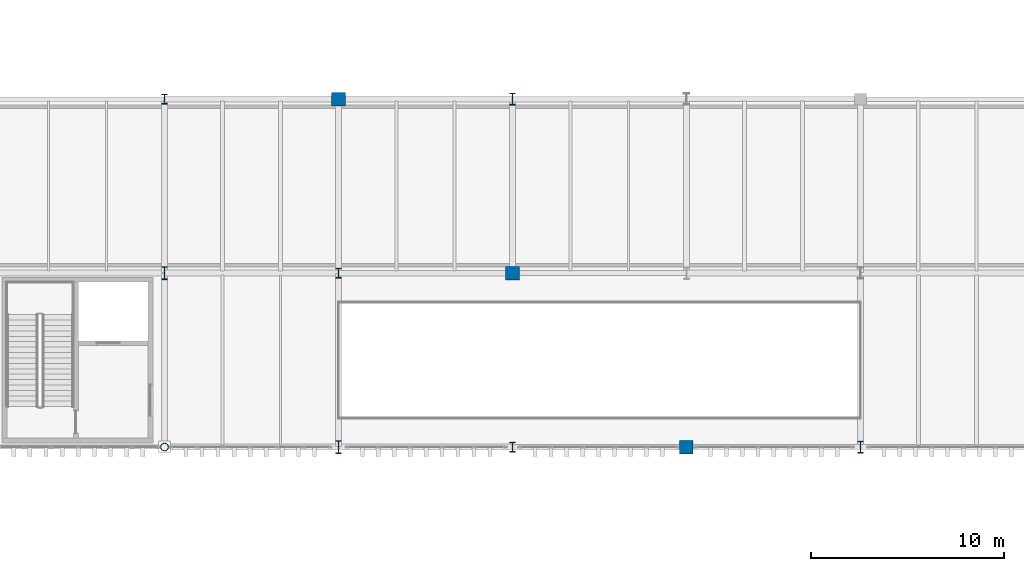
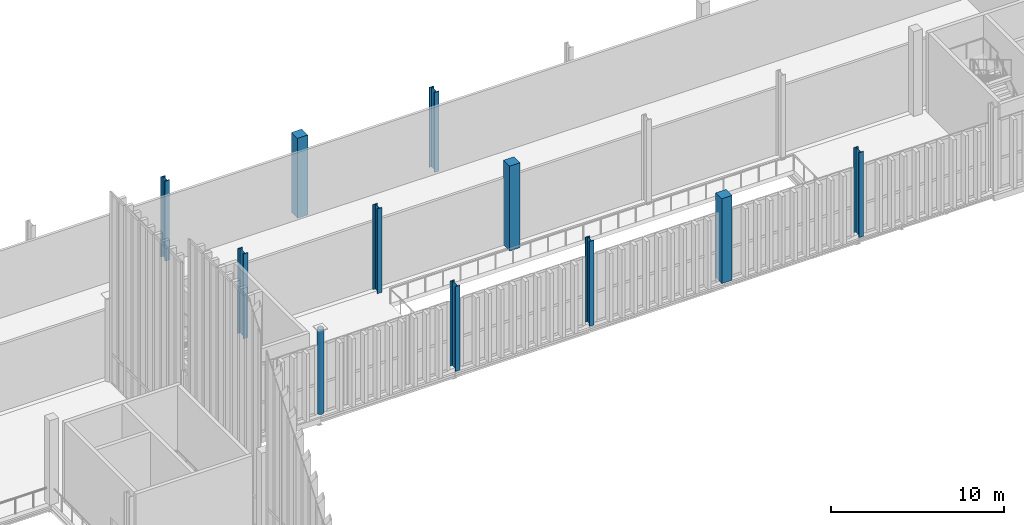
# One storey, part 6 of 237: 11 columns.
"""IFC4 building model written with IfcOpenShell, lengths in metres."""

import ifcopenshell
import ifcopenshell.guid

model = None  # the IFC model being written
_history = None  # IfcOwnerHistory: only IFC2X3 demands one
_inside = {}  # id of a spatial element -> (the spatial element, [elements in it])
_under = {}  # id of a project, library or spatial element -> (it, [spatial elements below it])
_declared = {}  # id of a project -> (the project, [libraries it declares])
_typed = {}  # id of a type object -> (the type object, [elements of that type])
_made_of = {}  # id of a material, layer set ... -> (it, [elements and type objects made of it])


def new_model(schema):
    """Start an empty IFC model of exactly this schema.

    Asked for "IFC4X3", IfcOpenShell would pick the latest addendum, in which some entities
    have other attributes; the version numbers below select the first issue.
    IFC2X3 requires an IfcOwnerHistory on every rooted entity: one is made here for all.
    """
    global model, _history
    if schema == "IFC4X3":
        model = ifcopenshell.file(schema_version=(4, 3, 0, 0))
    else:
        model = ifcopenshell.file(schema=schema)
    _inside.clear()
    _under.clear()
    _declared.clear()
    _typed.clear()
    _made_of.clear()
    _history = None
    if model.schema == "IFC2X3":
        org = make("IfcOrganization", Name="unknown")
        user = make(
            "IfcPersonAndOrganization",
            ThePerson=make("IfcPerson", FamilyName="unknown"),
            TheOrganization=org,
        )
        app = make(
            "IfcApplication",
            ApplicationDeveloper=org,
            Version="unknown",
            ApplicationFullName="unknown",
            ApplicationIdentifier="unknown",
        )
        _history = make(
            "IfcOwnerHistory",
            OwningUser=user,
            OwningApplication=app,
            ChangeAction="ADDED",
            CreationDate=0,
        )
    return model


def make(cls, **values):
    """One entity of the class cls with the attributes given. An attribute that is None is left unset."""
    return model.create_entity(
        cls, **{name: value for name, value in values.items() if value is not None}
    )


def rooted(cls, **values):
    """An entity with a GlobalId (a new one), such as an element, a storey or a relation."""
    return make(cls, GlobalId=ifcopenshell.guid.new(), OwnerHistory=_history, **values)


def si_unit(unit_type, name, prefix=None):
    """IfcSIUnit, for example si_unit("LENGTHUNIT", "METRE", prefix="MILLI")."""
    return make("IfcSIUnit", UnitType=unit_type, Prefix=prefix, Name=name)


def assignment(units):
    """IfcUnitAssignment: the units of a project."""
    return None if units is None else make("IfcUnitAssignment", Units=units)


def point(xyz):
    """IfcCartesianPoint."""
    return None if xyz is None else make("IfcCartesianPoint", Coordinates=xyz)


def direction(xyz):
    """IfcDirection."""
    return None if xyz is None else make("IfcDirection", DirectionRatios=xyz)


def frame(location, z_axis=None, x_axis=None):
    """IfcAxis2Placement3D, a coordinate frame: its origin and axes. An axis left out is left unset."""
    return make(
        "IfcAxis2Placement3D",
        Location=point(location),
        Axis=direction(z_axis),
        RefDirection=direction(x_axis),
    )


def frame_2d(location, x_axis=None):
    """IfcAxis2Placement2D, a coordinate frame in the plane: its origin and x axis."""
    return make(
        "IfcAxis2Placement2D", Location=point(location), RefDirection=direction(x_axis)
    )


def origin():
    """The frame at (0, 0, 0) with its axes left unset."""
    return frame((0.0, 0.0, 0.0))


def origin_2d():
    """The frame at (0, 0) in the plane with its x axis left unset."""
    return frame_2d((0.0, 0.0))


def place(relative_to, where):
    """IfcLocalPlacement: puts the frame where relative to a parent placement (None: the world)."""
    return make(
        "IfcLocalPlacement", PlacementRelTo=relative_to, RelativePlacement=where
    )


def context(
    kind, dimensions, precision=None, world=None, true_north=None, identifier=None
):
    """IfcGeometricRepresentationContext, for example the 3D "Model" context."""
    return make(
        "IfcGeometricRepresentationContext",
        ContextIdentifier=identifier,
        ContextType=kind,
        CoordinateSpaceDimension=dimensions,
        Precision=precision,
        WorldCoordinateSystem=world,
        TrueNorth=true_north,
    )


def subcontext(parent, identifier, kind, view, scale=None):
    """IfcGeometricRepresentationSubContext, for example "Body" below "Model"."""
    return make(
        "IfcGeometricRepresentationSubContext",
        ContextIdentifier=identifier,
        ContextType=kind,
        ParentContext=parent,
        TargetScale=scale,
        TargetView=view,
    )


def project(units=None, contexts=None):
    """IfcProject with its units and contexts."""
    return rooted(
        "IfcProject",
        Name="project",
        RepresentationContexts=contexts,
        UnitsInContext=assignment(units),
    )


def spatial(cls, under=None, at=None, **own):
    """A site, building, storey or space (cls), placed at a placement, below another one or the project."""
    s = rooted(cls, ObjectPlacement=at, **own)
    if under is not None:
        _under.setdefault(under.id(), (under, []))[1].append(s)
    return s


def profile(cls, at=None, kind="AREA", **sizes):
    """A parametric profile (cls). Its sizes go by their IFC names, for example OverallWidth=200.0."""
    return make(cls, ProfileType=kind, Position=at, **sizes)


def rectangle(**sizes):
    """IfcRectangleProfileDef."""
    return profile("IfcRectangleProfileDef", **sizes)


def hollow_circle(**sizes):
    """IfcCircleHollowProfileDef."""
    return profile("IfcCircleHollowProfileDef", **sizes)


def i_section(**sizes):
    """IfcIShapeProfileDef."""
    return profile("IfcIShapeProfileDef", **sizes)


def extrude(swept, where, along, depth):
    """IfcExtrudedAreaSolid: the profile swept, set in the frame where, extruded along a direction by depth."""
    return make(
        "IfcExtrudedAreaSolid",
        SweptArea=swept,
        Position=where,
        ExtrudedDirection=direction(along),
        Depth=depth,
    )


def shape(context_of_items, identifier, shape_type, items):
    """IfcShapeRepresentation: the items that make up one representation, for example the "Body"."""
    return make(
        "IfcShapeRepresentation",
        ContextOfItems=context_of_items,
        RepresentationIdentifier=identifier,
        RepresentationType=shape_type,
        Items=items,
    )


def material(Name=None, Category=None):
    """IfcMaterial."""
    return make("IfcMaterial", Name=Name, Category=Category)


def material_profile(
    of_material, cross_section, Name=None, Category=None, Priority=None
):
    """IfcMaterialProfile: a cross section and its material."""
    return make(
        "IfcMaterialProfile",
        Name=Name,
        Material=of_material,
        Profile=cross_section,
        Priority=Priority,
        Category=Category,
    )


def profile_set(profiles, Name=None, composite=None):
    """IfcMaterialProfileSet."""
    return make(
        "IfcMaterialProfileSet",
        Name=Name,
        MaterialProfiles=profiles,
        CompositeProfile=composite,
    )


def made_of(thing, what):
    """Note that an element or type object is made of a material, layer set ...; save() writes the relation."""
    if what is not None:
        _made_of.setdefault(what.id(), (what, []))[1].append(thing)
    return thing


def type_object(cls, material=None, **own):
    """A type object (cls), such as IfcWallType, which elements share."""
    return made_of(rooted(cls, **own), material)


def element(
    cls,
    number,
    at=None,
    inside=None,
    cuts=None,
    type_object=None,
    material=None,
    context=None,
    identifier="Body",
    shape_type=None,
    held_by="IfcProductDefinitionShape",
    body=None,
    shapes=None,
    **own,
):
    """One element of the class cls, such as IfcWall. Its Tag is "e" and its number.

    at: its placement. inside: the storey or other place that contains it. cuts: it is an
    opening in that element (IfcRelVoidsElement). A single representation is given by context,
    identifier, shape_type and body (its items); several are given by shapes. held_by: the class
    of the entity that holds the representations. save() writes the other relations.
    """
    e = rooted(cls, Tag="e%d" % number, ObjectPlacement=at, **own)
    if body is not None:
        shapes = [shape(context, identifier, shape_type, body)]
    if shapes is not None:
        e.Representation = make(held_by, Representations=shapes)
    if inside is not None:
        _inside.setdefault(inside.id(), (inside, []))[1].append(e)
    if cuts is not None:
        rooted(
            "IfcRelVoidsElement", RelatingBuildingElement=cuts, RelatedOpeningElement=e
        )
    if type_object is not None:
        _typed.setdefault(type_object.id(), (type_object, []))[1].append(e)
    return made_of(e, material)


def aggregate(whole, parts):
    """IfcRelAggregates: a whole, such as a stair, and the parts it consists of."""
    return rooted("IfcRelAggregates", RelatingObject=whole, RelatedObjects=parts)


def save(model, path):
    """Write the relations noted so far, then the file.

    IfcRelAggregates (storeys below a building ...), IfcRelContainedInSpatialStructure (elements
    in a storey), IfcRelDefinesByType, IfcRelAssociatesMaterial and IfcRelDeclares: one each for
    every whole, place, type object, material and project.
    """
    for whole, parts in _under.values():
        aggregate(whole, parts)
    for where, things in _inside.values():
        rooted(
            "IfcRelContainedInSpatialStructure",
            RelatedElements=things,
            RelatingStructure=where,
        )
    for kind, things in _typed.values():
        rooted("IfcRelDefinesByType", RelatedObjects=things, RelatingType=kind)
    for what, things in _made_of.values():
        rooted("IfcRelAssociatesMaterial", RelatedObjects=things, RelatingMaterial=what)
    for by, libraries in _declared.values():
        rooted("IfcRelDeclares", RelatingContext=by, RelatedDefinitions=libraries)
    model.write(path)


model = new_model("IFC4")

# Units and contexts
model_context = context("Model", 3, precision=1e-05, world=origin(), true_north=direction((0.0, 1.0)))
body_context = subcontext(model_context, "Body", "Model", "MODEL_VIEW")
ifc_project = project(units=[si_unit("LENGTHUNIT", "METRE"), si_unit("AREAUNIT", "SQUARE_METRE"), si_unit("VOLUMEUNIT", "CUBIC_METRE"), si_unit("PLANEANGLEUNIT", "RADIAN"), si_unit("MASSUNIT", "GRAM", prefix="KILO")], contexts=[model_context])

# Site, building, storey
site_placement = place(None, origin())
site = spatial("IfcSite", under=ifc_project, at=site_placement, CompositionType="ELEMENT")
building_placement = place(site_placement, origin())
building = spatial("IfcBuilding", under=site, at=building_placement, Name="Barlavento Convention Centre", CompositionType="ELEMENT")
storey_placement = place(building_placement, frame((0.0, 0.0, 12.0)))
storey = spatial("IfcBuildingStorey", under=building, at=storey_placement, Name="L02", CompositionType="ELEMENT", Elevation=12.0)

# Columns
ifc_material_1 = material(Name="Steel S355", Category="steel")
ifc_material_profile_1 = material_profile(ifc_material_1, hollow_circle(Radius=0.203125, WallThickness=0.01611328125, at=origin_2d()), Name="CHS 406.4x16.0")
ifc_profile_set_1 = profile_set([ifc_material_profile_1], Name="Steel S355")
column_type_1 = type_object("IfcColumnType", Name="STR-COL-CHS406", PredefinedType="COLUMN", material=ifc_profile_set_1)
column_1_placement = place(storey_placement, frame((72.0, 45.0, 0.0), z_axis=(0.0, 0.0, 1.0), x_axis=(1.0, 0.0, 0.0)))
element("IfcColumn", 1, at=column_1_placement, inside=storey, type_object=column_type_1, Name="L02 column SC14", PredefinedType="COLUMN", context=body_context, shape_type="SweptSolid", body=[
    extrude(hollow_circle(Radius=0.203125, WallThickness=0.01611328125, at=origin_2d()), origin(), (0.0, 0.0, 1.0), 6.0),
])
ifc_material_profile_2 = material_profile(ifc_material_1, i_section(OverallWidth=0.305908203125, OverallDepth=0.52392578125, WebThickness=0.02099609375, FlangeThickness=0.0400390625, FilletRadius=0.027099609375, at=origin_2d()), Name="HEM 500")
ifc_profile_set_2 = profile_set([ifc_material_profile_2], Name="Steel S355")
column_type_2 = type_object("IfcColumnType", Name="STR-COL-HEM500", PredefinedType="COLUMN", material=ifc_profile_set_2)
column_2_placement = place(storey_placement, frame((72.0, 63.0, 0.0), z_axis=(0.0, 0.0, 1.0), x_axis=(1.0, 0.0, 0.0)))
element("IfcColumn", 2, at=column_2_placement, inside=storey, type_object=column_type_2, Name="L02 column SC07", PredefinedType="COLUMN", context=body_context, shape_type="SweptSolid", body=[
    extrude(i_section(OverallWidth=0.305908203125, OverallDepth=0.52392578125, WebThickness=0.02099609375, FlangeThickness=0.0400390625, FilletRadius=0.027099609375, at=origin_2d()), origin(), (0.0, 0.0, 1.0), 5.655029296875),
])
for number, where, z_axis, x_axis, name in (
    (3, (81.0, 54.0, 0.0), (0.0, 0.0, 1.0), (1.0, 0.0, 0.0), "L02 column SC07"),
    (4, (90.0, 45.0, 0.0), (0.0, 0.0, 1.0), (1.0, 0.0, 0.0), "L02 column SC07"),
):
    element("IfcColumn", number, at=place(storey_placement, frame(where, z_axis=z_axis, x_axis=x_axis)), inside=storey, type_object=column_type_2, Name=name, PredefinedType="COLUMN", context=body_context, shape_type="SweptSolid", body=[
        extrude(i_section(OverallWidth=0.305908203125, OverallDepth=0.52392578125, WebThickness=0.02099609375, FlangeThickness=0.0400390625, FilletRadius=0.027099609375, at=origin_2d()), origin(), (0.0, 0.0, 1.0), 6.0),
    ])
ifc_material_profile_3 = material_profile(ifc_material_1, i_section(OverallWidth=0.304931640625, OverallDepth=0.6201171875, WebThickness=0.02099609375, FlangeThickness=0.0400390625, FilletRadius=0.027099609375, at=origin_2d()), Name="HEM 600")
ifc_profile_set_3 = profile_set([ifc_material_profile_3], Name="Steel S355")
column_type_3 = type_object("IfcColumnType", Name="STR-COL-HEM600", PredefinedType="COLUMN", material=ifc_profile_set_3)
column_3_placement = place(storey_placement, frame((90.0, 63.0, 0.0), z_axis=(0.0, 0.0, 1.0), x_axis=(1.0, 0.0, 0.0)))
element("IfcColumn", 5, at=column_3_placement, inside=storey, type_object=column_type_3, Name="L02 column SC05", PredefinedType="COLUMN", context=body_context, shape_type="SweptSolid", body=[
    extrude(i_section(OverallWidth=0.304931640625, OverallDepth=0.6201171875, WebThickness=0.02099609375, FlangeThickness=0.0400390625, FilletRadius=0.027099609375, at=origin_2d()), origin(), (0.0, 0.0, 1.0), 5.655029296875),
])
column_4_placement = place(storey_placement, frame((108.0, 45.0, 0.0), z_axis=(0.0, 0.0, 1.0), x_axis=(1.0, 0.0, 0.0)))
element("IfcColumn", 6, at=column_4_placement, inside=storey, type_object=column_type_3, Name="L02 column SC05", PredefinedType="COLUMN", context=body_context, shape_type="SweptSolid", body=[
    extrude(i_section(OverallWidth=0.304931640625, OverallDepth=0.6201171875, WebThickness=0.02099609375, FlangeThickness=0.0400390625, FilletRadius=0.027099609375, at=origin_2d()), origin(), (0.0, 0.0, 1.0), 6.0),
])
ifc_material_2 = material(Name="Steel S460", Category="steel")
ifc_material_profile_4 = material_profile(ifc_material_2, i_section(OverallWidth=0.304931640625, OverallDepth=0.66796875, WebThickness=0.02099609375, FlangeThickness=0.0400390625, FilletRadius=0.027099609375, at=origin_2d()), Name="HEM 650")
ifc_profile_set_4 = profile_set([ifc_material_profile_4], Name="Steel S460")
column_type_4 = type_object("IfcColumnType", Name="STR-COL-HEM650", PredefinedType="COLUMN", material=ifc_profile_set_4)
for number, where, z_axis, x_axis, name in (
    (7, (72.0, 54.0, 0.0), (0.0, 0.0, 1.0), (1.0, 0.0, 0.0), "L02 column SC04"),
    (8, (81.0, 45.0, 0.0), (0.0, 0.0, 1.0), (1.0, 0.0, 0.0), "L02 column SC04"),
):
    element("IfcColumn", number, at=place(storey_placement, frame(where, z_axis=z_axis, x_axis=x_axis)), inside=storey, type_object=column_type_4, Name=name, PredefinedType="COLUMN", context=body_context, shape_type="SweptSolid", body=[
        extrude(i_section(OverallWidth=0.304931640625, OverallDepth=0.66796875, WebThickness=0.02099609375, FlangeThickness=0.0400390625, FilletRadius=0.027099609375, at=origin_2d()), origin(), (0.0, 0.0, 1.0), 6.0),
    ])
ifc_material_3 = material(Name="Concrete C40/50", Category="concrete")
ifc_material_profile_5 = material_profile(ifc_material_3, rectangle(XDim=0.699951171875, YDim=0.699951171875, at=origin_2d()), Name="RC 700x700")
ifc_profile_set_5 = profile_set([ifc_material_profile_5], Name="Concrete C40/50")
column_type_5 = type_object("IfcColumnType", Name="STR-COL-RC700", PredefinedType="COLUMN", material=ifc_profile_set_5)
column_5_placement = place(storey_placement, frame((81.0, 63.0, 0.0), z_axis=(0.0, 0.0, 1.0), x_axis=(1.0, 0.0, 0.0)))
element("IfcColumn", 9, at=column_5_placement, inside=storey, type_object=column_type_5, Name="L02 column CC06", PredefinedType="COLUMN", context=body_context, shape_type="SweptSolid", body=[
    extrude(rectangle(XDim=0.699951171875, YDim=0.699951171875, at=origin_2d()), origin(), (0.0, 0.0, 1.0), 5.655029296875),
])
for number, where, z_axis, x_axis, name in (
    (10, (90.0, 54.0, 0.0), (0.0, 0.0, 1.0), (1.0, 0.0, 0.0), "L02 column CC06"),
    (11, (99.0, 45.0, 0.0), (0.0, 0.0, 1.0), (1.0, 0.0, 0.0), "L02 column CC06"),
):
    element("IfcColumn", number, at=place(storey_placement, frame(where, z_axis=z_axis, x_axis=x_axis)), inside=storey, type_object=column_type_5, Name=name, PredefinedType="COLUMN", context=body_context, shape_type="SweptSolid", body=[
        extrude(rectangle(XDim=0.699951171875, YDim=0.699951171875, at=origin_2d()), origin(), (0.0, 0.0, 1.0), 6.0),
    ])

save(model, "model.ifc")
